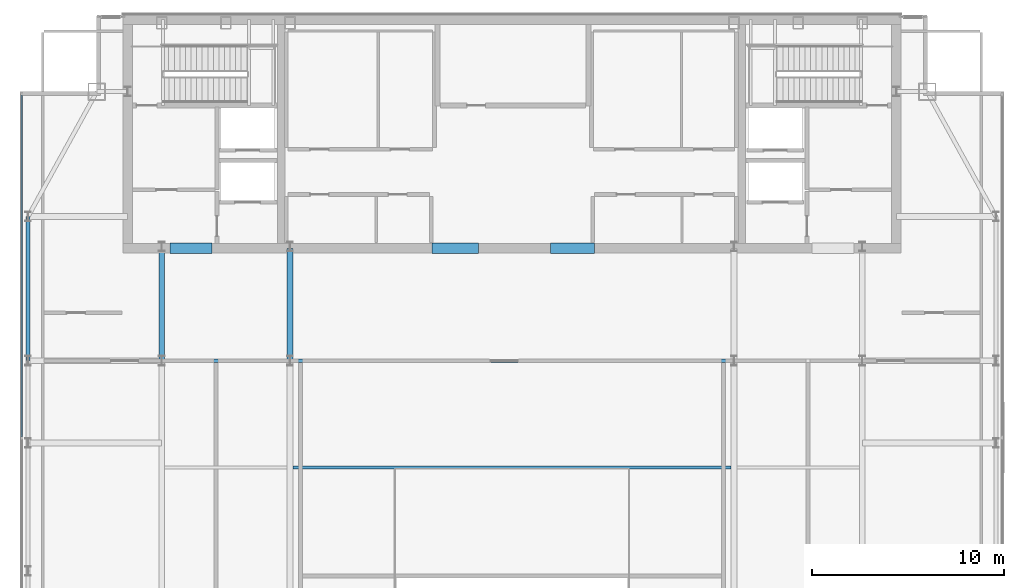
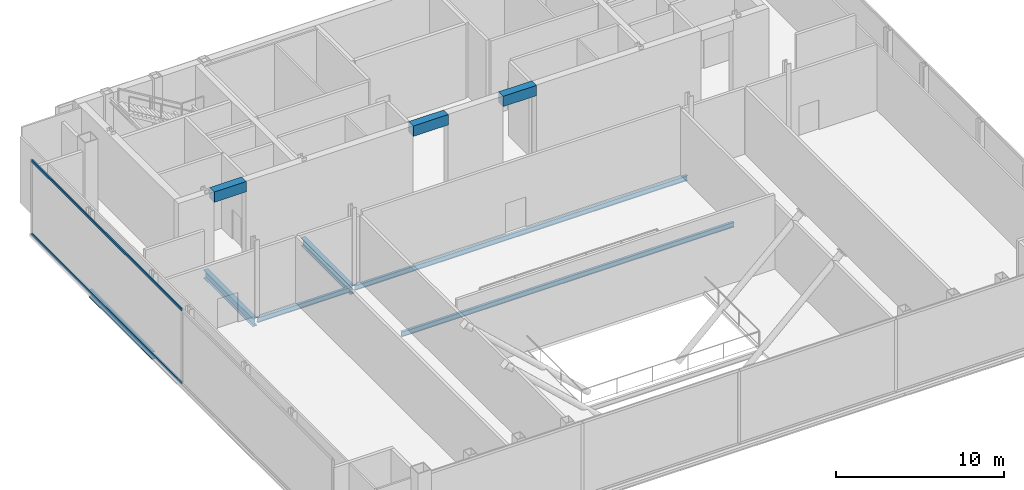
# One storey, part 9 of 23: 9 beams, 2 members, 1 element without a shape of its own.
"""IFC4 building model written with IfcOpenShell, lengths in metres."""

from ifc_helpers import new_model, si_unit, direction, frame, origin, origin_2d, place, context, subcontext, project, spatial, rectangle, hollow_rectangle, i_section, extrude, material, material_profile, profile_set, type_object, element, aggregate, save


model = new_model("IFC4")

# Units and contexts
model_context = context("Model", 3, precision=1e-05, world=origin(), true_north=direction((0.0, 1.0)))
body_context = subcontext(model_context, "Body", "Model", "MODEL_VIEW")
ifc_project = project(units=[si_unit("LENGTHUNIT", "METRE"), si_unit("AREAUNIT", "SQUARE_METRE"), si_unit("VOLUMEUNIT", "CUBIC_METRE"), si_unit("PLANEANGLEUNIT", "RADIAN"), si_unit("MASSUNIT", "GRAM", prefix="KILO")], contexts=[model_context])

# Site, building, storey
site_placement = place(None, origin())
site = spatial("IfcSite", under=ifc_project, at=site_placement, CompositionType="ELEMENT")
building_placement = place(site_placement, origin())
building = spatial("IfcBuilding", under=site, at=building_placement, Name="Khoronbel Lancet Exchange", CompositionType="ELEMENT")
storey_placement = place(building_placement, frame((0.0, 0.0, 356.199951171875)))
storey = spatial("IfcBuildingStorey", under=building, at=storey_placement, Name="L92", CompositionType="ELEMENT", Elevation=356.199951171875)

# Beams
ifc_material_1 = material(Name="Steel S355", Category="steel")
ifc_material_profile_1 = material_profile(ifc_material_1, i_section(OverallWidth=0.300048828125, OverallDepth=0.60009765625, WebThickness=0.015380859375, FlangeThickness=0.030029296875, at=origin_2d()), Name="HEB 600")
ifc_profile_set_1 = profile_set([ifc_material_profile_1], Name="Steel S355")
beam_type_1 = type_object("IfcBeamType", Name="BM-BG5", PredefinedType="BEAM", material=ifc_profile_set_1)
for number, where, z_axis, x_axis, name in (
    (1, (18.22509765625, 35.699951171875, -0.5), (0.0, 1.0, 0.0), (-1.0, 0.0, 0.0), "Level L92 spine tie girder GN1"),
    (2, (24.89990234375, 35.699951171875, -0.5), (0.0, 1.0, 0.0), (-1.0, 0.0, 0.0), "Level L92 spine tie girder GN2"),
):
    element("IfcBeam", number, at=place(storey_placement, frame(where, z_axis=z_axis, x_axis=x_axis)), inside=storey, type_object=beam_type_1, Name=name, PredefinedType="BEAM", context=body_context, shape_type="SweptSolid", body=[
        extrude(i_section(OverallWidth=0.300048828125, OverallDepth=0.60009765625, WebThickness=0.015380859375, FlangeThickness=0.030029296875, at=origin_2d()), origin(), (0.0, 0.0, 1.0), 5.85009765625),
    ])
ifc_material_profile_2 = material_profile(ifc_material_1, i_section(OverallWidth=0.169921875, OverallDepth=0.360107421875, WebThickness=0.008056640625, FlangeThickness=0.0126953125, at=origin_2d()), Name="IPE 360")
ifc_profile_set_2 = profile_set([ifc_material_profile_2], Name="Steel S355")
beam_type_2 = type_object("IfcBeamType", Name="BM-BJ6", PredefinedType="JOIST", material=ifc_profile_set_2)
beam_1_placement = place(storey_placement, frame((25.050048828125, 30.14990234375, -0.3798828125), z_axis=(1.0, 0.0, 0.0), x_axis=(0.0, 1.0, 0.0)))
element("IfcBeam", 3, at=beam_1_placement, inside=storey, type_object=beam_type_2, Name="Level L92 secondary composite joist J08", PredefinedType="JOIST", context=body_context, shape_type="SweptSolid", body=[
    extrude(i_section(OverallWidth=0.169921875, OverallDepth=0.360107421875, WebThickness=0.008056640625, FlangeThickness=0.0126953125, at=origin_2d()), origin(), (0.0, 0.0, 1.0), 22.800048828125),
])
beam_2_placement = place(storey_placement, frame((18.375, 35.699951171875, -0.3798828125), z_axis=(1.0, 0.0, 0.0), x_axis=(0.0, 1.0, 0.0)))
element("IfcBeam", 4, at=beam_2_placement, inside=storey, type_object=beam_type_2, Name="Level L92 secondary composite joist J10", PredefinedType="JOIST", context=body_context, shape_type="SweptSolid", body=[
    extrude(i_section(OverallWidth=0.169921875, OverallDepth=0.360107421875, WebThickness=0.008056640625, FlangeThickness=0.0126953125, at=origin_2d()), origin(), (0.0, 0.0, 1.0), 6.375),
])
beam_3_placement = place(storey_placement, frame((25.050048828125, 35.699951171875, -0.3798828125), z_axis=(1.0, 0.0, 0.0), x_axis=(0.0, 1.0, 0.0)))
element("IfcBeam", 5, at=beam_3_placement, inside=storey, type_object=beam_type_2, Name="Level L92 secondary composite joist J11", PredefinedType="JOIST", context=body_context, shape_type="SweptSolid", body=[
    extrude(i_section(OverallWidth=0.169921875, OverallDepth=0.360107421875, WebThickness=0.008056640625, FlangeThickness=0.0126953125, at=origin_2d()), origin(), (0.0, 0.0, 1.0), 22.800048828125),
])
ifc_material_2 = material(Name="Concrete C60/75", Category="concrete")
ifc_material_profile_3 = material_profile(ifc_material_2, rectangle(XDim=0.550048828125, YDim=0.75, at=origin_2d()), Name="RC 550x750")
ifc_profile_set_3 = profile_set([ifc_material_profile_3], Name="Concrete C60/75")
beam_type_3 = type_object("IfcBeamType", Name="BM-BL2", PredefinedType="LINTEL", material=ifc_profile_set_3)
beam_4_placement = place(storey_placement, frame((18.64990234375, 41.550048828125, 5.025146484375), z_axis=(1.0, 0.0, 0.0), x_axis=(0.0, 1.0, 0.0)))
element("IfcBeam", 6, at=beam_4_placement, inside=storey, type_object=beam_type_3, Name="Level L92 rear core coupling lintel L1", PredefinedType="LINTEL", context=body_context, shape_type="SweptSolid", body=[
    extrude(rectangle(XDim=0.550048828125, YDim=0.75, at=origin_2d()), origin(), (0.0, 0.0, 1.0), 2.2001953125),
])
beam_5_placement = place(storey_placement, frame((32.300048828125, 41.550048828125, 5.025146484375), z_axis=(1.0, 0.0, 0.0), x_axis=(0.0, 1.0, 0.0)))
element("IfcBeam", 7, at=beam_5_placement, inside=storey, type_object=beam_type_3, Name="Level L92 rear core coupling lintel L2", PredefinedType="LINTEL", context=body_context, shape_type="SweptSolid", body=[
    extrude(rectangle(XDim=0.550048828125, YDim=0.75, at=origin_2d()), origin(), (0.0, 0.0, 1.0), 2.39990234375),
])
beam_6_placement = place(storey_placement, frame((38.449951171875, 41.550048828125, 5.025146484375), z_axis=(1.0, 0.0, 0.0), x_axis=(0.0, 1.0, 0.0)))
element("IfcBeam", 8, at=beam_6_placement, inside=storey, type_object=beam_type_3, Name="Level L92 rear core coupling lintel L3", PredefinedType="LINTEL", context=body_context, shape_type="SweptSolid", body=[
    extrude(rectangle(XDim=0.550048828125, YDim=0.75, at=origin_2d()), origin(), (0.0, 0.0, 1.0), 2.300048828125),
])
ifc_material_profile_4 = material_profile(ifc_material_1, i_section(OverallWidth=0.2099609375, OverallDepth=0.550048828125, WebThickness=0.010986328125, FlangeThickness=0.01708984375, at=origin_2d()), Name="IPE 550")
ifc_profile_set_4 = profile_set([ifc_material_profile_4], Name="Steel S355")
beam_type_4 = type_object("IfcBeamType", Name="BM-BSP3", PredefinedType="SPANDREL", material=ifc_profile_set_4)
beam_7_placement = place(storey_placement, frame((11.27001953125, 43.199951171875, -0.474853515625), z_axis=(0.0, -1.0, 0.0), x_axis=(1.0, 0.0, 0.0)))
element("IfcBeam", 9, at=beam_7_placement, inside=storey, type_object=beam_type_4, Name="Level L92 perimeter spandrel beam SP15", PredefinedType="SPANDREL", context=body_context, shape_type="SweptSolid", body=[
    extrude(i_section(OverallWidth=0.2099609375, OverallDepth=0.550048828125, WebThickness=0.010986328125, FlangeThickness=0.01708984375, at=origin_2d()), origin(), (0.0, 0.0, 1.0), 7.5),
])

# Curtain wall, members
ifc_material_3 = material(Name="Low-E Solar Control Insulating Glass", Category="glass")
curtain_wall_type = type_object("IfcCurtainWallType", Name="CW-6", PredefinedType="NOTDEFINED", material=ifc_material_3)
curtain_wall_placement = place(storey_placement, origin())
curtain_wall = element("IfcCurtainWall", 10, at=curtain_wall_placement, inside=storey, type_object=curtain_wall_type, Name="Unitised curtain wall CW-L92-E03", PredefinedType="NOTDEFINED")
ifc_material_4 = material(Name="Bronze-Anodised Aluminium 6063-T6", Category="aluminium")
ifc_material_profile_5 = material_profile(ifc_material_4, hollow_rectangle(XDim=0.0849609375, YDim=0.179931640625, WallThickness=0.0048828125, at=origin_2d()), Name="ALU TRANSOM 85x180")
ifc_profile_set_5 = profile_set([ifc_material_profile_5], Name="Bronze-Anodised Aluminium 6063-T6")
member_type = type_object("IfcMemberType", Name="MEM-CWT1", PredefinedType="USERDEFINED", material=ifc_profile_set_5)
member_1_placement = place(storey_placement, frame((10.93994140625, 31.737548828125, 0.04248046875), z_axis=(0.0, 1.0, 0.0), x_axis=(-1.0, 0.0, 0.0)))
member_1 = element("IfcMember", 11, at=member_1_placement, type_object=member_type, Name="CW6 transom 2.1", ObjectType="TRANSOM", PredefinedType="USERDEFINED", context=body_context, shape_type="SweptSolid", body=[
    extrude(hollow_rectangle(XDim=0.0849609375, YDim=0.179931640625, WallThickness=0.0048828125, at=origin_2d()), origin(), (0.0, 0.0, 1.0), 17.79736328125),
])
member_2_placement = place(storey_placement, frame((10.93994140625, 31.737548828125, 5.357666015625), z_axis=(0.0, 1.0, 0.0), x_axis=(-1.0, 0.0, 0.0)))
member_2 = element("IfcMember", 12, at=member_2_placement, type_object=member_type, Name="CW6 transom 2.2", ObjectType="TRANSOM", PredefinedType="USERDEFINED", context=body_context, shape_type="SweptSolid", body=[
    extrude(hollow_rectangle(XDim=0.0849609375, YDim=0.179931640625, WallThickness=0.0048828125, at=origin_2d()), origin(), (0.0, 0.0, 1.0), 17.79736328125),
])
aggregate(curtain_wall, [member_1, member_2])

save(model, "model.ifc")
